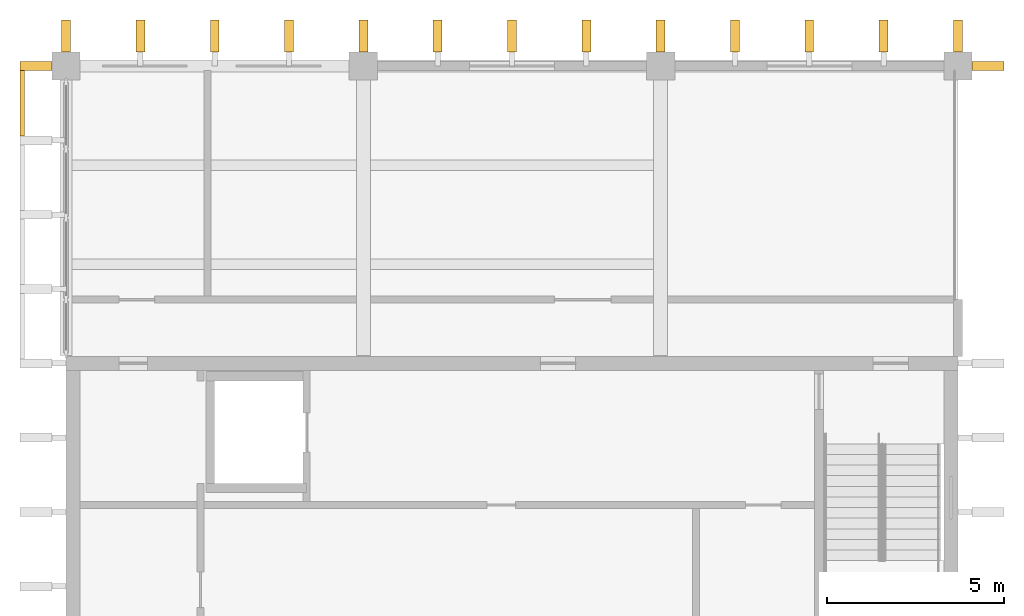
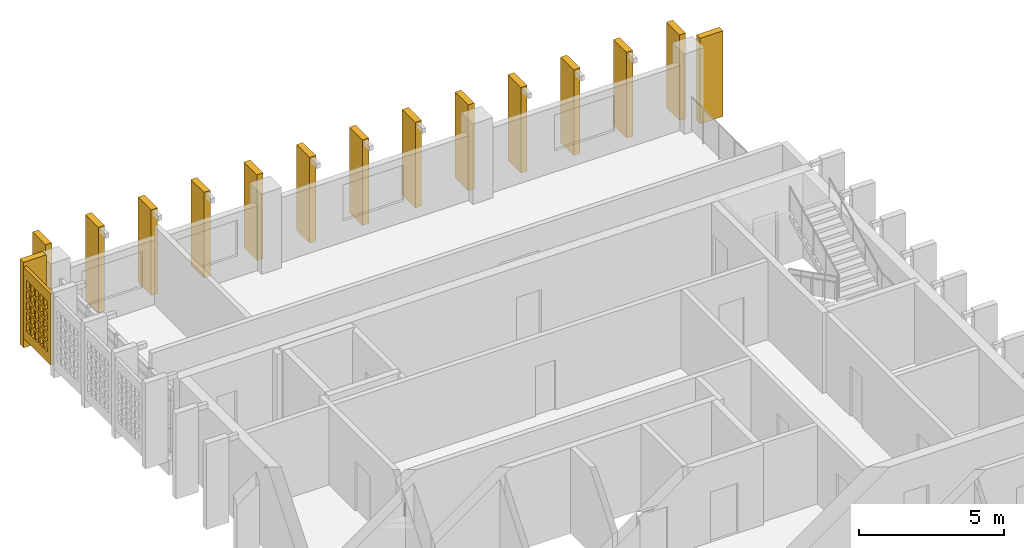
# One storey, part 12 of 13: 16 shading devices, 1 opening.
"""IFC4 building model written with IfcOpenShell, lengths in metres."""

from ifc_helpers import new_model, si_unit, direction, frame, origin, origin_2d, place, context, subcontext, project, spatial, rectangle, extrude, material, layer, layer_set, material_profile, profile_set, type_object, element, save


model = new_model("IFC4")

# Units and contexts
model_context = context("Model", 3, precision=1e-05, world=origin(), true_north=direction((0.0, 1.0)))
body_context = subcontext(model_context, "Body", "Model", "MODEL_VIEW")
ifc_project = project(units=[si_unit("LENGTHUNIT", "METRE"), si_unit("AREAUNIT", "SQUARE_METRE"), si_unit("VOLUMEUNIT", "CUBIC_METRE"), si_unit("PLANEANGLEUNIT", "RADIAN"), si_unit("MASSUNIT", "GRAM", prefix="KILO")], contexts=[model_context])

# Site, building, storey
site_placement = place(None, origin())
site = spatial("IfcSite", under=ifc_project, at=site_placement, CompositionType="ELEMENT")
building_placement = place(site_placement, origin())
building = spatial("IfcBuilding", under=site, at=building_placement, Name="Rulbaag Community and Learning Centre", CompositionType="ELEMENT")
storey_placement = place(building_placement, frame((0.0, 0.0, 39.60009765625)))
storey = spatial("IfcBuildingStorey", under=building, at=storey_placement, Name="L10", CompositionType="ELEMENT", Elevation=39.60009765625)

# Shading devices
ifc_material = material(Name="Concrete M40", Category="concrete")
ifc_material_profile = material_profile(ifc_material, rectangle(XDim=0.25, YDim=0.89990234375, at=origin_2d()), Name="PC 250x900")
ifc_profile_set = profile_set([ifc_material_profile], Name="Concrete M40")
shading_device_type_1 = type_object("IfcShadingDeviceType", Name="FIN-H", PredefinedType="JALOUSIE", material=ifc_profile_set)
for number, where, z_axis, x_axis, name in (
    (1, (142.800048828125, 118.449951171875, 0.0), (0.0, 0.0, 1.0), (1.0, 0.0, 0.0), "Precast fin"),
    (2, (144.89990234375, 118.449951171875, 0.0), (0.0, 0.0, 1.0), (1.0, 0.0, 0.0), "Precast fin"),
    (3, (147.0, 118.449951171875, 0.0), (0.0, 0.0, 1.0), (1.0, 0.0, 0.0), "Precast fin"),
    (4, (149.10009765625, 118.449951171875, 0.0), (0.0, 0.0, 1.0), (1.0, 0.0, 0.0), "Precast fin"),
    (5, (151.199951171875, 118.449951171875, 0.0), (0.0, 0.0, 1.0), (1.0, 0.0, 0.0), "Precast fin"),
    (6, (153.300048828125, 118.449951171875, 0.0), (0.0, 0.0, 1.0), (1.0, 0.0, 0.0), "Precast fin"),
    (7, (155.39990234375, 118.449951171875, 0.0), (0.0, 0.0, 1.0), (1.0, 0.0, 0.0), "Precast fin"),
    (8, (157.5, 118.449951171875, 0.0), (0.0, 0.0, 1.0), (1.0, 0.0, 0.0), "Precast fin"),
    (9, (159.60009765625, 118.449951171875, 0.0), (0.0, 0.0, 1.0), (1.0, 0.0, 0.0), "Precast fin"),
    (10, (161.699951171875, 118.449951171875, 0.0), (0.0, 0.0, 1.0), (1.0, 0.0, 0.0), "Precast fin"),
    (11, (163.800048828125, 118.449951171875, 0.0), (0.0, 0.0, 1.0), (1.0, 0.0, 0.0), "Precast fin"),
    (12, (165.89990234375, 118.449951171875, 0.0), (0.0, 0.0, 1.0), (1.0, 0.0, 0.0), "Precast fin"),
    (13, (168.0, 118.449951171875, 0.0), (0.0, 0.0, 1.0), (1.0, 0.0, 0.0), "Precast fin"),
    (14, (141.949951171875, 117.60009765625, 0.0), (0.0, 0.0, 1.0), (0.0, 1.0, 0.0), "Precast fin"),
    (15, (168.85009765625, 117.60009765625, 0.0), (0.0, 0.0, 1.0), (0.0, 1.0, 0.0), "Precast fin"),
):
    element("IfcShadingDevice", number, at=place(storey_placement, frame(where, z_axis=z_axis, x_axis=x_axis)), inside=storey, type_object=shading_device_type_1, Name=name, PredefinedType="JALOUSIE", context=body_context, shape_type="SweptSolid", body=[
        extrude(rectangle(XDim=0.25, YDim=0.89990234375, at=origin_2d()), origin(), (0.0, 0.0, 1.0), 3.599853515625),
    ])

# Shading device, opening
ifc_layer = layer(ifc_material, 0.1201171875)
ifc_layer_set = layer_set([ifc_layer], Name="JB-83")
shading_device_type_2 = type_object("IfcShadingDeviceType", Name="JB-83", PredefinedType="SHUTTER", material=ifc_layer_set)
shading_device_placement = place(storey_placement, frame((141.56005859375, 116.550048828125, 0.39990234375), z_axis=(0.0, 0.0, 1.0), x_axis=(1.0, 0.0, 0.0)))
shading_device = element("IfcShadingDevice", 16, at=shading_device_placement, inside=storey, type_object=shading_device_type_2, Name="Jaali screen", PredefinedType="SHUTTER", context=body_context, shape_type="SweptSolid", body=[
    extrude(rectangle(XDim=0.1201171875, YDim=1.85009765625, at=origin_2d()), origin(), (0.0, 0.0, 1.0), 3.0),
])
opening_placement = place(shading_device_placement, origin())
element("IfcOpeningElement", 17, at=opening_placement, cuts=shading_device, Name="Perforation JB1", PredefinedType="OPENING", context=body_context, shape_type="SweptSolid", body=[
    extrude(rectangle(XDim=0.22509765625, YDim=0.340087890625, at=origin_2d()), frame((-0.070068359375, -0.60009765625, 0.60009765625), z_axis=(1.0, 0.0, 0.0), x_axis=(0.0, 1.0, 0.0)), (0.0, 0.0, 1.0), 0.139892578125),
    extrude(rectangle(XDim=0.22509765625, YDim=0.340087890625, at=origin_2d()), frame((-0.070068359375, -0.300048828125, 0.60009765625), z_axis=(1.0, 0.0, 0.0), x_axis=(0.0, 1.0, 0.0)), (0.0, 0.0, 1.0), 0.139892578125),
    extrude(rectangle(XDim=0.22509765625, YDim=0.340087890625, at=origin_2d()), frame((-0.070068359375, 0.0, 0.60009765625), z_axis=(1.0, 0.0, 0.0), x_axis=(0.0, 1.0, 0.0)), (0.0, 0.0, 1.0), 0.139892578125),
    extrude(rectangle(XDim=0.22509765625, YDim=0.340087890625, at=origin_2d()), frame((-0.070068359375, 0.300048828125, 0.60009765625), z_axis=(1.0, 0.0, 0.0), x_axis=(0.0, 1.0, 0.0)), (0.0, 0.0, 1.0), 0.139892578125),
    extrude(rectangle(XDim=0.22509765625, YDim=0.340087890625, at=origin_2d()), frame((-0.070068359375, 0.60009765625, 0.60009765625), z_axis=(1.0, 0.0, 0.0), x_axis=(0.0, 1.0, 0.0)), (0.0, 0.0, 1.0), 0.139892578125),
    extrude(rectangle(XDim=0.22509765625, YDim=0.340087890625, at=origin_2d()), frame((-0.070068359375, -0.60009765625, 1.050048828125), z_axis=(1.0, 0.0, 0.0), x_axis=(0.0, 1.0, 0.0)), (0.0, 0.0, 1.0), 0.139892578125),
    extrude(rectangle(XDim=0.22509765625, YDim=0.340087890625, at=origin_2d()), frame((-0.070068359375, -0.300048828125, 1.050048828125), z_axis=(1.0, 0.0, 0.0), x_axis=(0.0, 1.0, 0.0)), (0.0, 0.0, 1.0), 0.139892578125),
    extrude(rectangle(XDim=0.22509765625, YDim=0.340087890625, at=origin_2d()), frame((-0.070068359375, 0.0, 1.050048828125), z_axis=(1.0, 0.0, 0.0), x_axis=(0.0, 1.0, 0.0)), (0.0, 0.0, 1.0), 0.139892578125),
    extrude(rectangle(XDim=0.22509765625, YDim=0.340087890625, at=origin_2d()), frame((-0.070068359375, 0.300048828125, 1.050048828125), z_axis=(1.0, 0.0, 0.0), x_axis=(0.0, 1.0, 0.0)), (0.0, 0.0, 1.0), 0.139892578125),
    extrude(rectangle(XDim=0.22509765625, YDim=0.340087890625, at=origin_2d()), frame((-0.070068359375, 0.60009765625, 1.050048828125), z_axis=(1.0, 0.0, 0.0), x_axis=(0.0, 1.0, 0.0)), (0.0, 0.0, 1.0), 0.139892578125),
    extrude(rectangle(XDim=0.22509765625, YDim=0.340087890625, at=origin_2d()), frame((-0.070068359375, -0.60009765625, 1.5), z_axis=(1.0, 0.0, 0.0), x_axis=(0.0, 1.0, 0.0)), (0.0, 0.0, 1.0), 0.139892578125),
    extrude(rectangle(XDim=0.22509765625, YDim=0.340087890625, at=origin_2d()), frame((-0.070068359375, -0.300048828125, 1.5), z_axis=(1.0, 0.0, 0.0), x_axis=(0.0, 1.0, 0.0)), (0.0, 0.0, 1.0), 0.139892578125),
    extrude(rectangle(XDim=0.22509765625, YDim=0.340087890625, at=origin_2d()), frame((-0.070068359375, 0.0, 1.5), z_axis=(1.0, 0.0, 0.0), x_axis=(0.0, 1.0, 0.0)), (0.0, 0.0, 1.0), 0.139892578125),
    extrude(rectangle(XDim=0.22509765625, YDim=0.340087890625, at=origin_2d()), frame((-0.070068359375, 0.300048828125, 1.5), z_axis=(1.0, 0.0, 0.0), x_axis=(0.0, 1.0, 0.0)), (0.0, 0.0, 1.0), 0.139892578125),
    extrude(rectangle(XDim=0.22509765625, YDim=0.340087890625, at=origin_2d()), frame((-0.070068359375, 0.60009765625, 1.5), z_axis=(1.0, 0.0, 0.0), x_axis=(0.0, 1.0, 0.0)), (0.0, 0.0, 1.0), 0.139892578125),
    extrude(rectangle(XDim=0.22509765625, YDim=0.340087890625, at=origin_2d()), frame((-0.070068359375, -0.60009765625, 1.949951171875), z_axis=(1.0, 0.0, 0.0), x_axis=(0.0, 1.0, 0.0)), (0.0, 0.0, 1.0), 0.139892578125),
    extrude(rectangle(XDim=0.22509765625, YDim=0.340087890625, at=origin_2d()), frame((-0.070068359375, -0.300048828125, 1.949951171875), z_axis=(1.0, 0.0, 0.0), x_axis=(0.0, 1.0, 0.0)), (0.0, 0.0, 1.0), 0.139892578125),
    extrude(rectangle(XDim=0.22509765625, YDim=0.340087890625, at=origin_2d()), frame((-0.070068359375, 0.0, 1.949951171875), z_axis=(1.0, 0.0, 0.0), x_axis=(0.0, 1.0, 0.0)), (0.0, 0.0, 1.0), 0.139892578125),
    extrude(rectangle(XDim=0.22509765625, YDim=0.340087890625, at=origin_2d()), frame((-0.070068359375, 0.300048828125, 1.949951171875), z_axis=(1.0, 0.0, 0.0), x_axis=(0.0, 1.0, 0.0)), (0.0, 0.0, 1.0), 0.139892578125),
    extrude(rectangle(XDim=0.22509765625, YDim=0.340087890625, at=origin_2d()), frame((-0.070068359375, 0.60009765625, 1.949951171875), z_axis=(1.0, 0.0, 0.0), x_axis=(0.0, 1.0, 0.0)), (0.0, 0.0, 1.0), 0.139892578125),
    extrude(rectangle(XDim=0.22509765625, YDim=0.340087890625, at=origin_2d()), frame((-0.070068359375, -0.60009765625, 2.39990234375), z_axis=(1.0, 0.0, 0.0), x_axis=(0.0, 1.0, 0.0)), (0.0, 0.0, 1.0), 0.139892578125),
    extrude(rectangle(XDim=0.22509765625, YDim=0.340087890625, at=origin_2d()), frame((-0.070068359375, -0.300048828125, 2.39990234375), z_axis=(1.0, 0.0, 0.0), x_axis=(0.0, 1.0, 0.0)), (0.0, 0.0, 1.0), 0.139892578125),
    extrude(rectangle(XDim=0.22509765625, YDim=0.340087890625, at=origin_2d()), frame((-0.070068359375, 0.0, 2.39990234375), z_axis=(1.0, 0.0, 0.0), x_axis=(0.0, 1.0, 0.0)), (0.0, 0.0, 1.0), 0.139892578125),
    extrude(rectangle(XDim=0.22509765625, YDim=0.340087890625, at=origin_2d()), frame((-0.070068359375, 0.300048828125, 2.39990234375), z_axis=(1.0, 0.0, 0.0), x_axis=(0.0, 1.0, 0.0)), (0.0, 0.0, 1.0), 0.139892578125),
    extrude(rectangle(XDim=0.22509765625, YDim=0.340087890625, at=origin_2d()), frame((-0.070068359375, 0.60009765625, 2.39990234375), z_axis=(1.0, 0.0, 0.0), x_axis=(0.0, 1.0, 0.0)), (0.0, 0.0, 1.0), 0.139892578125),
])

save(model, "model.ifc")
